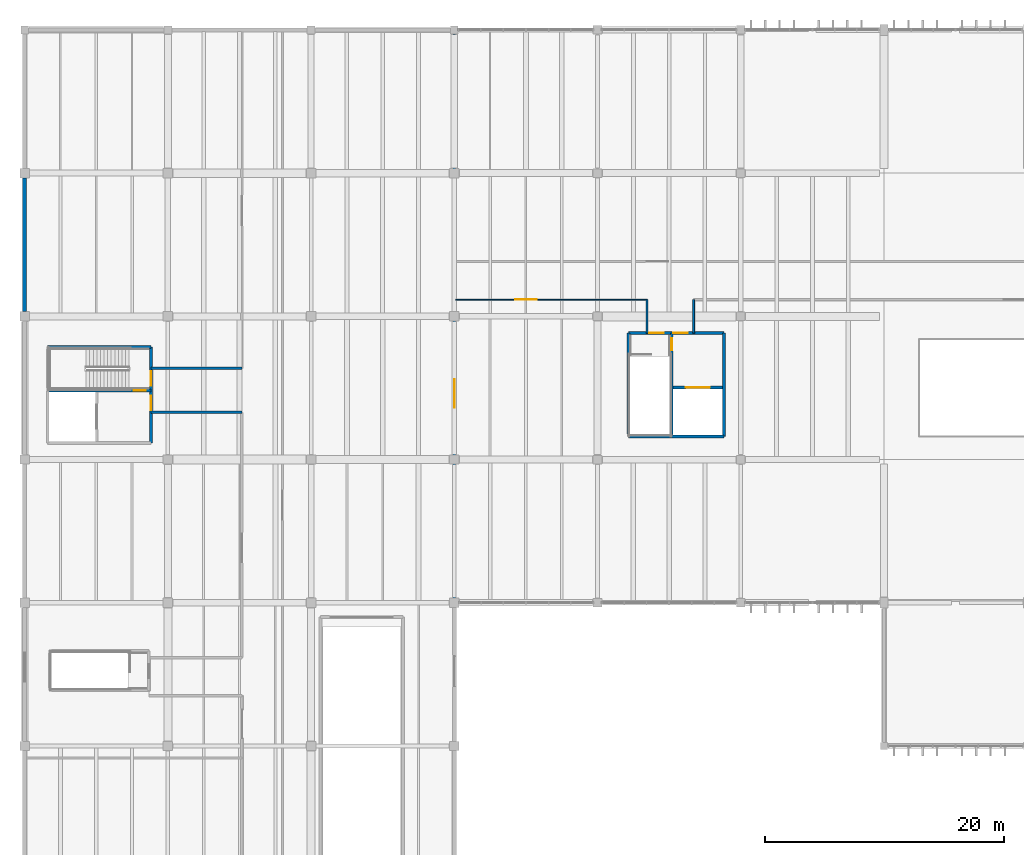
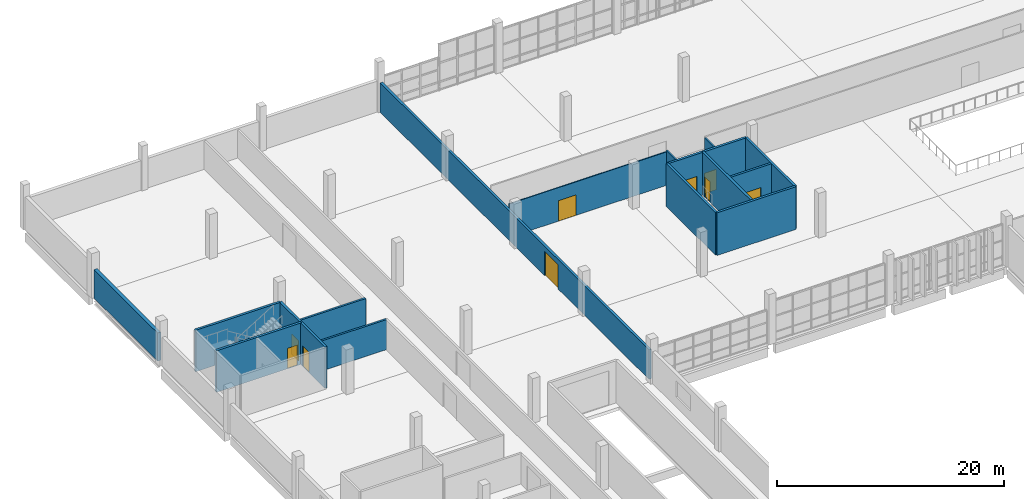
# One storey, part 82 of 112: 16 walls, 9 doors, 9 openings.
"""IFC4 building model written with IfcOpenShell, lengths in metres."""

from ifc_helpers import new_model, si_unit, direction, frame, frame_2d, origin, place, context, subcontext, project, spatial, rectangle, extrude, material, layer, layer_set, type_object, element, fill, save


model = new_model("IFC4")

# Units and contexts
model_context = context("Model", 3, precision=1e-05, world=origin(), true_north=direction((0.0, 1.0)))
body_context = subcontext(model_context, "Body", "Model", "MODEL_VIEW")
ifc_project = project(units=[si_unit("LENGTHUNIT", "METRE"), si_unit("AREAUNIT", "SQUARE_METRE"), si_unit("VOLUMEUNIT", "CUBIC_METRE"), si_unit("PLANEANGLEUNIT", "RADIAN"), si_unit("MASSUNIT", "GRAM", prefix="KILO")], contexts=[model_context])

# Site, building, storey
site_placement = place(None, origin())
site = spatial("IfcSite", under=ifc_project, at=site_placement, CompositionType="ELEMENT")
building_placement = place(site_placement, origin())
building = spatial("IfcBuilding", under=site, at=building_placement, Name="Kamomehara Wholesale Market", CompositionType="ELEMENT")
storey_placement = place(building_placement, frame((0.0, 0.0, 6.60009765625)))
storey = spatial("IfcBuildingStorey", under=building, at=storey_placement, Name="L01", CompositionType="ELEMENT", Elevation=6.60009765625)

# Wall
ifc_material_1 = material(Name="Polyurethane insulated metal panel")
ifc_layer_1 = layer(ifc_material_1, 0.340087890625)
ifc_layer_set_1 = layer_set([ifc_layer_1], Name="Polyurethane insulated metal panel")
wall_type_1 = type_object("IfcWallType", Name="EW-CLD-340", PredefinedType="SOLIDWALL", material=ifc_layer_set_1)
wall_1_placement = place(storey_placement, frame((0.0, 132.389892578125, 0.0), z_axis=(0.0, 0.0, 1.0), x_axis=(0.0, 1.0, 0.0)))
element("IfcWall", 1, at=wall_1_placement, inside=storey, type_object=wall_type_1, Name="Exterior wall EW-CLD-340 29", PredefinedType="SOLIDWALL", context=body_context, shape_type="SweptSolid", body=[
    extrude(rectangle(XDim=11.22021484375, YDim=0.340087890625, at=frame_2d((5.610107421875, 0.0))), origin(), (0.0, 0.0, 1.0), 3.02783203125),
])

# Wall, opening, door
ifc_material_2 = material(Name="Gypsum board partition")
ifc_layer_2 = layer(ifc_material_2, 0.10009765625)
ifc_layer_set_2 = layer_set([ifc_layer_2], Name="Gypsum board partition")
wall_type_2 = type_object("IfcWallType", Name="IW-PRT-100", PredefinedType="PARTITIONING", material=ifc_layer_set_2)
wall_2_placement = place(storey_placement, frame((36.1201171875, 133.39990234375, 0.0), z_axis=(0.0, 0.0, 1.0), x_axis=(1.0, 0.0, 0.0)))
wall_2 = element("IfcWall", 2, at=wall_2_placement, inside=storey, type_object=wall_type_2, Name="Interior wall IW-PRT-100 278", PredefinedType="PARTITIONING", context=body_context, shape_type="SweptSolid", body=[
    extrude(rectangle(XDim=16.02978515625, YDim=0.10009765625, at=frame_2d((8.014892578125, 0.0))), origin(), (0.0, 0.0, 1.0), 3.602783203125),
])
opening_1_placement = place(wall_2_placement, frame((5.0, 0.0, 0.0)))
opening_1 = element("IfcOpeningElement", 3, at=opening_1_placement, cuts=wall_2, Name="Opening ID-L01-170", PredefinedType="OPENING", context=body_context, shape_type="SweptSolid", body=[
    extrude(rectangle(XDim=1.800048828125, YDim=2.199951171875, at=frame_2d((0.89990234375, 1.10009765625))), frame((0.0, 0.06494140625, 0.0), z_axis=(0.0, -1.0, 0.0), x_axis=(1.0, 0.0, 0.0)), (0.0, 0.0, 1.0), 0.1298828125),
])
ifc_material_3 = material(Name="Steel SN400B", Category="steel")
door_type_1 = type_object("IfcDoorType", Name="IDR-FD-1800x2200", OperationType="NOTDEFINED", PredefinedType="DOOR", material=ifc_material_3)
door_1_placement = place(opening_1_placement, origin())
door_1 = element("IfcDoor", 4, at=door_1_placement, inside=storey, type_object=door_type_1, Name="Interior door ID-L01-170", OperationType="SINGLE_SWING_RIGHT", OverallHeight=2.199951171875, OverallWidth=1.800048828125, PredefinedType="DOOR", context=body_context, shape_type="SweptSolid", body=[
    extrude(rectangle(XDim=1.800048828125, YDim=2.199951171875, at=frame_2d((0.89990234375, 1.10009765625))), frame((0.0, 0.02490234375, 0.0), z_axis=(0.0, -1.0, 0.0), x_axis=(1.0, 0.0, 0.0)), (0.0, 0.0, 1.0), 0.050048828125),
])
fill(opening_1, door_1)

# Walls
ifc_material_4 = material(Name="Gypsum board partition")
ifc_layer_3 = layer(ifc_material_4, 0.14990234375)
ifc_layer_set_3 = layer_set([ifc_layer_3], Name="Gypsum board partition")
wall_type_3 = type_object("IfcWallType", Name="IW-PRT-150", PredefinedType="PARTITIONING", material=ifc_layer_set_3)
for number, where, z_axis, x_axis, name in (
    (5, (52.14990234375, 130.60009765625, 0.0), (0.0, 0.0, 1.0), (0.0, 1.0, 0.0), "Interior wall IW-PRT-150 279"),
    (6, (56.050048828125, 130.60009765625, 0.0), (0.0, 0.0, 1.0), (0.0, 1.0, 0.0), "Interior wall IW-PRT-150 280"),
):
    element("IfcWall", number, at=place(storey_placement, frame(where, z_axis=z_axis, x_axis=x_axis)), inside=storey, type_object=wall_type_3, Name=name, PredefinedType="PARTITIONING", context=body_context, shape_type="SweptSolid", body=[
        extrude(rectangle(XDim=2.7998046875, YDim=0.14990234375, at=frame_2d((1.39990234375, 0.0))), origin(), (0.0, 0.0, 1.0), 3.73486328125),
    ])
ifc_material_5 = material(Name="Gypsum board partition")
ifc_layer_4 = layer(ifc_material_5, 0.199951171875)
ifc_layer_set_4 = layer_set([ifc_layer_4], Name="Gypsum board partition")
wall_type_4 = type_object("IfcWallType", Name="IW-PRT-200", PredefinedType="PARTITIONING", material=ifc_layer_set_4)
for number, where, z_axis, x_axis, name in (
    (7, (10.60009765625, 123.949951171875, 0.0), (0.0, 0.0, 1.0), (1.0, 0.0, 0.0), "Interior wall IW-PRT-200 307"),
    (8, (10.60009765625, 127.64990234375, 0.0), (0.0, 0.0, 1.0), (1.0, 0.0, 0.0), "Interior wall IW-PRT-200 308"),
):
    element("IfcWall", number, at=place(storey_placement, frame(where, z_axis=z_axis, x_axis=x_axis)), inside=storey, type_object=wall_type_4, Name=name, PredefinedType="PARTITIONING", context=body_context, shape_type="SweptSolid", body=[
        extrude(rectangle(XDim=7.599853515625, YDim=0.199951171875, at=frame_2d((3.7998046875, 0.0))), origin(), (0.0, 0.0, 1.0), 3.23291015625),
    ])

# Wall, opening, door
ifc_material_6 = material(Name="Concrete Fc36 (C35/45)", Category="concrete")
ifc_layer_5 = layer(ifc_material_6, 0.219970703125)
ifc_layer_set_5 = layer_set([ifc_layer_5], Name="Concrete Fc36 (C35/45)")
wall_type_5 = type_object("IfcWallType", Name="IW-SHR-220", PredefinedType="SHEAR", material=ifc_layer_set_5)
wall_3_placement = place(storey_placement, frame((54.340087890625, 126.0400390625, 0.0), z_axis=(0.0, 0.0, 1.0), x_axis=(1.0, 0.0, 0.0)))
wall_3 = element("IfcWall", 9, at=wall_3_placement, inside=storey, type_object=wall_type_5, Name="Interior wall IW-SHR-220 12", PredefinedType="SHEAR", context=body_context, shape_type="SweptSolid", body=[
    extrude(rectangle(XDim=4.139892578125, YDim=0.219970703125, at=frame_2d((2.06982421875, 0.0))), origin(), (0.0, 0.0, 1.0), 4.58984375),
])
opening_2_placement = place(wall_3_placement, frame((1.070068359375, 0.0, 0.0)))
opening_2 = element("IfcOpeningElement", 10, at=opening_2_placement, cuts=wall_3, Name="Opening LD-LF-01-L01", PredefinedType="OPENING", context=body_context, shape_type="SweptSolid", body=[
    extrude(rectangle(XDim=2.0, YDim=2.39990234375, at=frame_2d((1.0, 1.199951171875))), frame((0.0, 0.125, 0.0), z_axis=(0.0, -1.0, 0.0), x_axis=(1.0, 0.0, 0.0)), (0.0, 0.0, 1.0), 0.249755859375),
])
ifc_material_7 = material(Name="Steel SN400B", Category="steel")
door_type_2 = type_object("IfcDoorType", Name="LDR-GDS-2000x2400", OperationType="DOUBLE_DOOR_SLIDING", PredefinedType="DOOR", material=ifc_material_7)
door_2_placement = place(opening_2_placement, origin())
door_2 = element("IfcDoor", 11, at=door_2_placement, inside=storey, type_object=door_type_2, Name="Lift sliding landing door LD-LF-01-L01", OperationType="DOUBLE_DOOR_SLIDING", OverallHeight=2.39990234375, OverallWidth=2.0, PredefinedType="DOOR", context=body_context, shape_type="SweptSolid", body=[
    extrude(rectangle(XDim=2.0, YDim=2.39990234375, at=frame_2d((1.0, 1.199951171875))), frame((0.0, 0.02490234375, 0.0), z_axis=(0.0, -1.0, 0.0), x_axis=(1.0, 0.0, 0.0)), (0.0, 0.0, 1.0), 0.050048828125),
])
fill(opening_2, door_2)

# Walls
ifc_material_8 = material(Name="Concrete Fc36 (C35/45)", Category="concrete")
ifc_layer_6 = layer(ifc_material_8, 0.239990234375)
ifc_layer_set_6 = layer_set([ifc_layer_6], Name="Concrete Fc36 (C35/45)")
wall_type_6 = type_object("IfcWallType", Name="IW-SHR-240", PredefinedType="SHEAR", material=ifc_layer_set_6)
wall_4_placement = place(storey_placement, frame((50.580078125, 130.60009765625, 0.0), z_axis=(0.0, 0.0, 1.0), x_axis=(0.0, -1.0, 0.0)))
element("IfcWall", 12, at=wall_4_placement, inside=storey, type_object=wall_type_6, Name="Interior wall IW-SHR-240 7", PredefinedType="SHEAR", context=body_context, shape_type="SweptSolid", body=[
    extrude(rectangle(XDim=8.670166015625, YDim=0.239990234375, at=frame_2d((4.3349609375, 0.0))), origin(), (0.0, 0.0, 1.0), 4.58984375),
])
wall_5_placement = place(storey_placement, frame((50.580078125, 121.929931640625, 0.0), z_axis=(0.0, 0.0, 1.0), x_axis=(1.0, 0.0, 0.0)))
element("IfcWall", 13, at=wall_5_placement, inside=storey, type_object=wall_type_6, Name="Interior wall IW-SHR-240 8", PredefinedType="SHEAR", context=body_context, shape_type="SweptSolid", body=[
    extrude(rectangle(XDim=8.02001953125, YDim=0.239990234375, at=frame_2d((4.010009765625, 0.0))), origin(), (0.0, 0.0, 1.0), 4.58984375),
])

# Wall, opening, door
wall_6_placement = place(storey_placement, frame((54.219970703125, 121.929931640625, 0.0), z_axis=(0.0, 0.0, 1.0), x_axis=(0.0, 1.0, 0.0)))
wall_6 = element("IfcWall", 14, at=wall_6_placement, inside=storey, type_object=wall_type_6, Name="Interior wall IW-SHR-240 9", PredefinedType="SHEAR", context=body_context, shape_type="SweptSolid", body=[
    extrude(rectangle(XDim=8.670166015625, YDim=0.239990234375, at=frame_2d((4.3349609375, 0.0))), origin(), (0.0, 0.0, 1.0), 4.58984375),
])
opening_3_placement = place(wall_6_placement, frame((7.219970703125, 0.0, 0.0)))
opening_3 = element("IfcOpeningElement", 15, at=opening_3_placement, cuts=wall_6, Name="Opening FD-L01-C1I", PredefinedType="OPENING", context=body_context, shape_type="SweptSolid", body=[
    extrude(rectangle(XDim=1.0, YDim=2.199951171875, at=frame_2d((0.5, 1.10009765625))), frame((0.0, 0.134765625, 0.0), z_axis=(0.0, -1.0, 0.0), x_axis=(1.0, 0.0, 0.0)), (0.0, 0.0, 1.0), 0.269775390625),
])
ifc_material_9 = material(Name="Anodised aluminium 6063-T5", Category="aluminium")
door_type_3 = type_object("IfcDoorType", Name="IDR-RM-1000x2200", OperationType="NOTDEFINED", PredefinedType="DOOR", material=ifc_material_9)
door_3_placement = place(opening_3_placement, origin())
door_3 = element("IfcDoor", 16, at=door_3_placement, inside=storey, type_object=door_type_3, Name="Core lobby-stair fire door FD-L01-C1I", OperationType="SINGLE_SWING_LEFT", OverallHeight=2.199951171875, OverallWidth=1.0, PredefinedType="DOOR", context=body_context, shape_type="SweptSolid", body=[
    extrude(rectangle(XDim=1.0, YDim=2.199951171875, at=frame_2d((0.5, 1.10009765625))), frame((0.0, 0.02490234375, 0.0), z_axis=(0.0, -1.0, 0.0), x_axis=(1.0, 0.0, 0.0)), (0.0, 0.0, 1.0), 0.050048828125),
])
fill(opening_3, door_3)

# Wall
wall_7_placement = place(storey_placement, frame((58.60009765625, 121.929931640625, 0.0), z_axis=(0.0, 0.0, 1.0), x_axis=(0.0, 1.0, 0.0)))
element("IfcWall", 17, at=wall_7_placement, inside=storey, type_object=wall_type_6, Name="Interior wall IW-SHR-240 10", PredefinedType="SHEAR", context=body_context, shape_type="SweptSolid", body=[
    extrude(rectangle(XDim=8.670166015625, YDim=0.239990234375, at=frame_2d((4.3349609375, 0.0))), origin(), (0.0, 0.0, 1.0), 4.58984375),
])

# Wall, openings, doors
wall_8_placement = place(storey_placement, frame((50.580078125, 130.60009765625, 0.0), z_axis=(0.0, 0.0, 1.0), x_axis=(1.0, 0.0, 0.0)))
wall_8 = element("IfcWall", 18, at=wall_8_placement, inside=storey, type_object=wall_type_6, Name="Interior wall IW-SHR-240 11", PredefinedType="SHEAR", context=body_context, shape_type="SweptSolid", body=[
    extrude(rectangle(XDim=8.02001953125, YDim=0.239990234375, at=frame_2d((4.010009765625, 0.0))), origin(), (0.0, 0.0, 1.0), 4.58984375),
])
opening_4_placement = place(wall_8_placement, frame((1.77001953125, 0.0, 0.0)))
opening_4 = element("IfcOpeningElement", 19, at=opening_4_placement, cuts=wall_8, Name="Opening FD-L01-C1S", PredefinedType="OPENING", context=body_context, shape_type="SweptSolid", body=[
    extrude(rectangle(XDim=1.199951171875, YDim=2.199951171875, at=frame_2d((0.60009765625, 1.10009765625))), frame((0.0, 0.134765625, 0.0), z_axis=(0.0, -1.0, 0.0), x_axis=(1.0, 0.0, 0.0)), (0.0, 0.0, 1.0), 0.269775390625),
])
opening_5_placement = place(wall_8_placement, frame((3.77001953125, 0.0, 0.0)))
opening_5 = element("IfcOpeningElement", 20, at=opening_5_placement, cuts=wall_8, Name="Opening FD-L01-C1L", PredefinedType="OPENING", context=body_context, shape_type="SweptSolid", body=[
    extrude(rectangle(XDim=1.199951171875, YDim=2.199951171875, at=frame_2d((0.60009765625, 1.10009765625))), frame((0.0, 0.134765625, 0.0), z_axis=(0.0, -1.0, 0.0), x_axis=(1.0, 0.0, 0.0)), (0.0, 0.0, 1.0), 0.269775390625),
])
ifc_material_10 = material(Name="Steel SN400B", Category="steel")
door_type_4 = type_object("IfcDoorType", Name="IDR-FD-1200x2200", OperationType="NOTDEFINED", PredefinedType="DOOR", material=ifc_material_10)
door_4_placement = place(opening_4_placement, origin())
door_4 = element("IfcDoor", 21, at=door_4_placement, inside=storey, type_object=door_type_4, Name="Stair fire door FD-L01-C1S", OperationType="SINGLE_SWING_RIGHT", OverallHeight=2.199951171875, OverallWidth=1.199951171875, PredefinedType="DOOR", context=body_context, shape_type="SweptSolid", body=[
    extrude(rectangle(XDim=1.199951171875, YDim=2.199951171875, at=frame_2d((0.60009765625, 1.10009765625))), frame((0.0, 0.02490234375, 0.0), z_axis=(0.0, -1.0, 0.0), x_axis=(1.0, 0.0, 0.0)), (0.0, 0.0, 1.0), 0.050048828125),
])
fill(opening_4, door_4)
door_5_placement = place(opening_5_placement, origin())
door_5 = element("IfcDoor", 22, at=door_5_placement, inside=storey, type_object=door_type_4, Name="Lift lobby fire door FD-L01-C1L", OperationType="SINGLE_SWING_LEFT", OverallHeight=2.199951171875, OverallWidth=1.199951171875, PredefinedType="DOOR", context=body_context, shape_type="SweptSolid", body=[
    extrude(rectangle(XDim=1.199951171875, YDim=2.199951171875, at=frame_2d((0.60009765625, 1.10009765625))), frame((0.0, 0.02490234375, 0.0), z_axis=(0.0, -1.0, 0.0), x_axis=(1.0, 0.0, 0.0)), (0.0, 0.0, 1.0), 0.050048828125),
])
fill(opening_5, door_5)

# Wall
wall_9_placement = place(storey_placement, frame((10.60009765625, 129.419921875, 0.0), z_axis=(0.0, 0.0, 1.0), x_axis=(-1.0, 0.0, 0.0)))
element("IfcWall", 23, at=wall_9_placement, inside=storey, type_object=wall_type_6, Name="Interior wall IW-SHR-240 49", PredefinedType="SHEAR", context=body_context, shape_type="SweptSolid", body=[
    extrude(rectangle(XDim=8.670166015625, YDim=0.239990234375, at=frame_2d((4.3349609375, 0.0))), origin(), (0.0, 0.0, 1.0), 4.449951171875),
])

# Wall, opening, door
wall_10_placement = place(storey_placement, frame((1.929931640625, 125.780029296875, 0.0), z_axis=(0.0, 0.0, 1.0), x_axis=(1.0, 0.0, 0.0)))
wall_10 = element("IfcWall", 24, at=wall_10_placement, inside=storey, type_object=wall_type_6, Name="Interior wall IW-SHR-240 52", PredefinedType="SHEAR", context=body_context, shape_type="SweptSolid", body=[
    extrude(rectangle(XDim=8.670166015625, YDim=0.239990234375, at=frame_2d((4.3349609375, 0.0))), origin(), (0.0, 0.0, 1.0), 4.449951171875),
])
opening_6_placement = place(wall_10_placement, frame((7.219970703125, 0.0, 0.0)))
opening_6 = element("IfcOpeningElement", 25, at=opening_6_placement, cuts=wall_10, Name="Opening FD-L01-C4I", PredefinedType="OPENING", context=body_context, shape_type="SweptSolid", body=[
    extrude(rectangle(XDim=1.0, YDim=2.199951171875, at=frame_2d((0.5, 1.10009765625))), frame((0.0, 0.134765625, 0.0), z_axis=(0.0, -1.0, 0.0), x_axis=(1.0, 0.0, 0.0)), (0.0, 0.0, 1.0), 0.269775390625),
])
door_6_placement = place(opening_6_placement, origin())
door_6 = element("IfcDoor", 26, at=door_6_placement, inside=storey, type_object=door_type_3, Name="Core lobby-stair fire door FD-L01-C4I", OperationType="SINGLE_SWING_RIGHT", OverallHeight=2.199951171875, OverallWidth=1.0, PredefinedType="DOOR", context=body_context, shape_type="SweptSolid", body=[
    extrude(rectangle(XDim=1.0, YDim=2.199951171875, at=frame_2d((0.5, 1.10009765625))), frame((0.0, 0.02490234375, 0.0), z_axis=(0.0, -1.0, 0.0), x_axis=(1.0, 0.0, 0.0)), (0.0, 0.0, 1.0), 0.050048828125),
])
fill(opening_6, door_6)

# Wall, openings, doors
wall_11_placement = place(storey_placement, frame((10.60009765625, 121.39990234375, 0.0), z_axis=(0.0, 0.0, 1.0), x_axis=(0.0, 1.0, 0.0)))
wall_11 = element("IfcWall", 27, at=wall_11_placement, inside=storey, type_object=wall_type_6, Name="Interior wall IW-SHR-240 53", PredefinedType="SHEAR", context=body_context, shape_type="SweptSolid", body=[
    extrude(rectangle(XDim=8.02001953125, YDim=0.239990234375, at=frame_2d((4.010009765625, 0.0))), origin(), (0.0, 0.0, 1.0), 4.449951171875),
])
opening_7_placement = place(wall_11_placement, frame((2.75, 0.0, 0.0)))
opening_7 = element("IfcOpeningElement", 28, at=opening_7_placement, cuts=wall_11, Name="Opening FD-L01-C4L", PredefinedType="OPENING", context=body_context, shape_type="SweptSolid", body=[
    extrude(rectangle(XDim=1.199951171875, YDim=2.199951171875, at=frame_2d((0.60009765625, 1.10009765625))), frame((0.0, 0.134765625, 0.0), z_axis=(0.0, -1.0, 0.0), x_axis=(1.0, 0.0, 0.0)), (0.0, 0.0, 1.0), 0.269775390625),
])
opening_8_placement = place(wall_11_placement, frame((4.800048828125, 0.0, 0.0)))
opening_8 = element("IfcOpeningElement", 29, at=opening_8_placement, cuts=wall_11, Name="Opening FD-L01-C4S", PredefinedType="OPENING", context=body_context, shape_type="SweptSolid", body=[
    extrude(rectangle(XDim=1.199951171875, YDim=2.199951171875, at=frame_2d((0.60009765625, 1.10009765625))), frame((0.0, 0.134765625, 0.0), z_axis=(0.0, -1.0, 0.0), x_axis=(1.0, 0.0, 0.0)), (0.0, 0.0, 1.0), 0.269775390625),
])
door_7_placement = place(opening_7_placement, origin())
door_7 = element("IfcDoor", 30, at=door_7_placement, inside=storey, type_object=door_type_4, Name="Lift lobby fire door FD-L01-C4L", OperationType="SINGLE_SWING_RIGHT", OverallHeight=2.199951171875, OverallWidth=1.199951171875, PredefinedType="DOOR", context=body_context, shape_type="SweptSolid", body=[
    extrude(rectangle(XDim=1.199951171875, YDim=2.199951171875, at=frame_2d((0.60009765625, 1.10009765625))), frame((0.0, 0.02490234375, 0.0), z_axis=(0.0, -1.0, 0.0), x_axis=(1.0, 0.0, 0.0)), (0.0, 0.0, 1.0), 0.050048828125),
])
fill(opening_7, door_7)
door_8_placement = place(opening_8_placement, origin())
door_8 = element("IfcDoor", 31, at=door_8_placement, inside=storey, type_object=door_type_4, Name="Stair fire door FD-L01-C4S", OperationType="SINGLE_SWING_LEFT", OverallHeight=2.199951171875, OverallWidth=1.199951171875, PredefinedType="DOOR", context=body_context, shape_type="SweptSolid", body=[
    extrude(rectangle(XDim=1.199951171875, YDim=2.199951171875, at=frame_2d((0.60009765625, 1.10009765625))), frame((0.0, 0.02490234375, 0.0), z_axis=(0.0, -1.0, 0.0), x_axis=(1.0, 0.0, 0.0)), (0.0, 0.0, 1.0), 0.050048828125),
])
fill(opening_8, door_8)

# Wall, opening, door
wall_12_placement = place(storey_placement, frame((36.0, 108.35009765625, 0.0), z_axis=(0.0, 0.0, 1.0), x_axis=(0.0, 1.0, 0.0)))
wall_12 = element("IfcWall", 32, at=wall_12_placement, inside=storey, type_object=wall_type_6, Name="Interior wall IW-SHR-240 277", PredefinedType="SHEAR", context=body_context, shape_type="SweptSolid", body=[
    extrude(rectangle(XDim=47.2998046875, YDim=0.239990234375, at=frame_2d((23.64990234375, 0.0))), origin(), (0.0, 0.0, 1.0), 3.1728515625),
])
opening_9_placement = place(wall_12_placement, frame((16.0, 0.0, 0.0)))
opening_9 = element("IfcOpeningElement", 33, at=opening_9_placement, cuts=wall_12, Name="Opening ID-L01-169", PredefinedType="OPENING", context=body_context, shape_type="SweptSolid", body=[
    extrude(rectangle(XDim=2.39990234375, YDim=2.60009765625, at=frame_2d((1.199951171875, 1.300048828125))), frame((0.0, 0.134765625, 0.0), z_axis=(0.0, -1.0, 0.0), x_axis=(1.0, 0.0, 0.0)), (0.0, 0.0, 1.0), 0.269775390625),
])
ifc_material_11 = material(Name="Steel SN400B", Category="steel")
door_type_5 = type_object("IfcDoorType", Name="IDR-CL-2400x2600", OperationType="NOTDEFINED", PredefinedType="DOOR", material=ifc_material_11)
door_9_placement = place(opening_9_placement, origin())
door_9 = element("IfcDoor", 34, at=door_9_placement, inside=storey, type_object=door_type_5, Name="Interior door ID-L01-169", OperationType="SINGLE_SWING_LEFT", OverallHeight=2.60009765625, OverallWidth=2.39990234375, PredefinedType="DOOR", context=body_context, shape_type="SweptSolid", body=[
    extrude(rectangle(XDim=2.39990234375, YDim=2.60009765625, at=frame_2d((1.199951171875, 1.300048828125))), frame((0.0, 0.02490234375, 0.0), z_axis=(0.0, -1.0, 0.0), x_axis=(1.0, 0.0, 0.0)), (0.0, 0.0, 1.0), 0.050048828125),
])
fill(opening_9, door_9)

save(model, "model.ifc")
